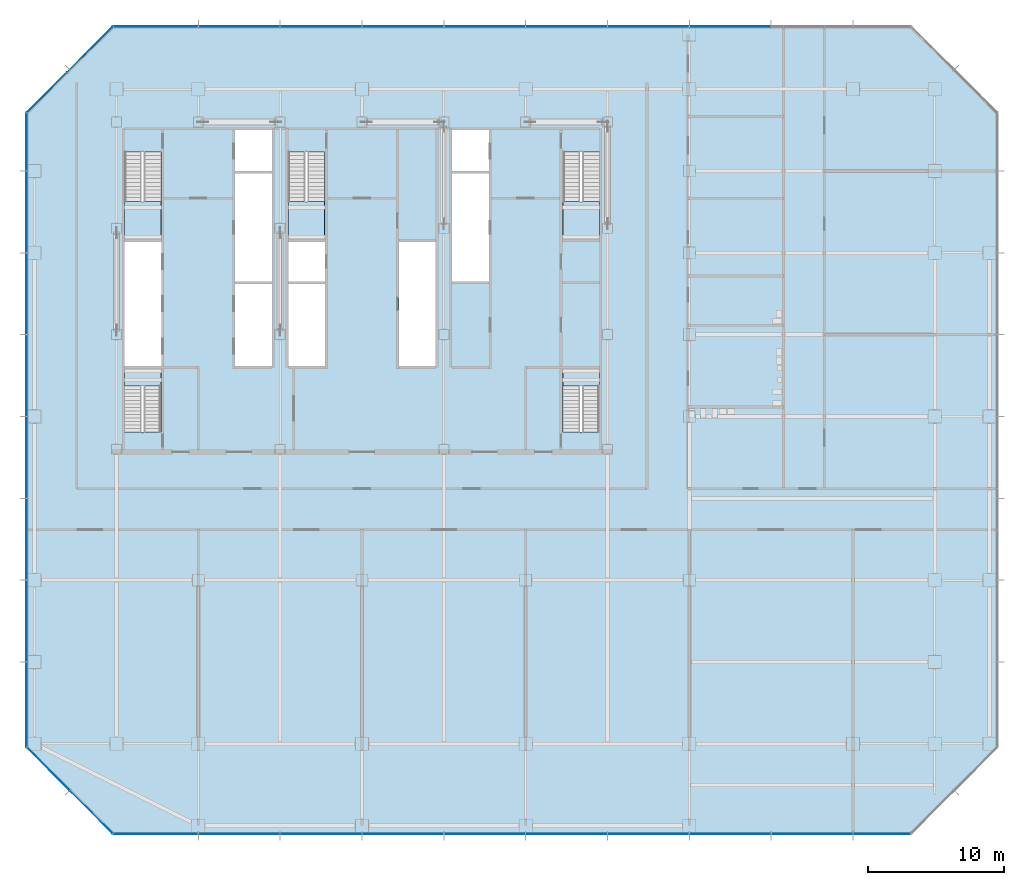
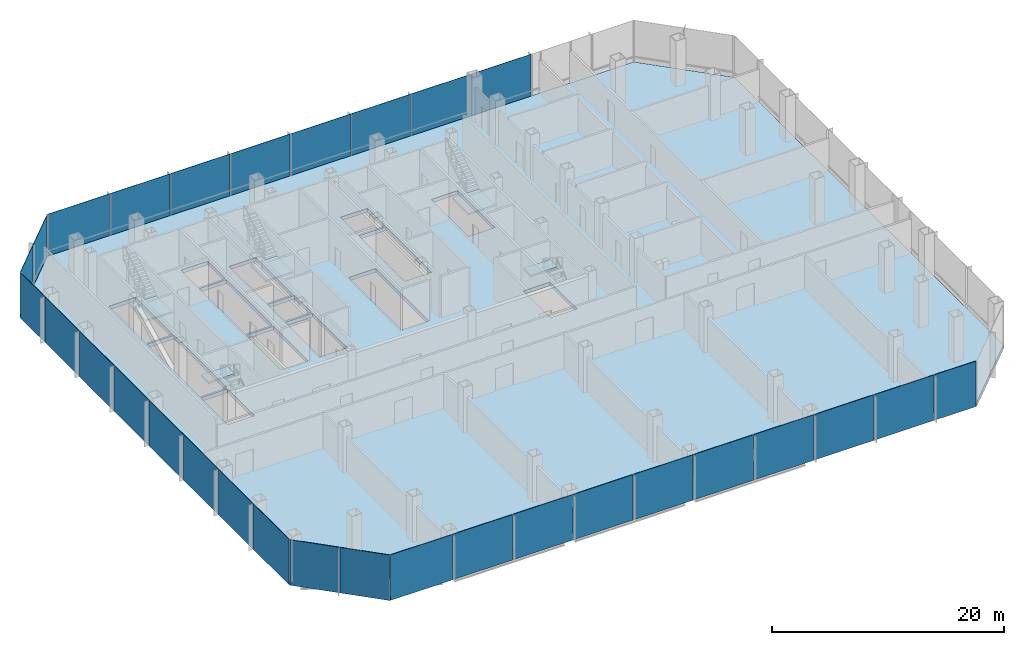
# One storey, part 20 of 33: 30 plates, 6 slabs, 10 elements without a shape of their own.
"""IFC4 building model written with IfcOpenShell, lengths in metres."""

from ifc_helpers import new_model, si_unit, direction, frame, origin, origin_2d, place, context, subcontext, project, spatial, polyline, rectangle, outline, extrude, material, layer, layer_set, type_object, element, aggregate, save


model = new_model("IFC4")

# Units and contexts
model_context = context("Model", 3, precision=1e-05, world=origin(), true_north=direction((0.0, 1.0)))
body_context = subcontext(model_context, "Body", "Model", "MODEL_VIEW")
ifc_project = project(units=[si_unit("LENGTHUNIT", "METRE"), si_unit("AREAUNIT", "SQUARE_METRE"), si_unit("VOLUMEUNIT", "CUBIC_METRE"), si_unit("PLANEANGLEUNIT", "RADIAN"), si_unit("MASSUNIT", "GRAM", prefix="KILO")], contexts=[model_context])

# Site, building, storey
site_placement = place(None, origin())
site = spatial("IfcSite", under=ifc_project, at=site_placement, CompositionType="ELEMENT")
building_placement = place(site_placement, origin())
building = spatial("IfcBuilding", under=site, at=building_placement, Name="Sorahane Residences", CompositionType="ELEMENT")
storey_placement = place(building_placement, frame((0.0, 0.0, 30.0)))
storey = spatial("IfcBuildingStorey", under=building, at=storey_placement, Name="L04", CompositionType="ELEMENT", Elevation=30.0)

# Slab
ifc_material_1 = material(Name="Concrete C35", Category="concrete")
ifc_layer_1 = layer(ifc_material_1, 0.39990234375)
ifc_layer_set_1 = layer_set([ifc_layer_1], Name="Composite floor slab 400 mm Concrete C35")
slab_type_1 = type_object("IfcSlabType", Name="Composite floor slab 400 mm Concrete C35", PredefinedType="FLOOR", material=ifc_layer_set_1)
slab_1_placement = place(storey_placement, frame((0.0, 0.0, -0.39990234375)))
element("IfcSlab", 1, at=slab_1_placement, inside=storey, type_object=slab_type_1, Name="Slab L04", PredefinedType="FLOOR", context=body_context, shape_type="SweptSolid", body=[
    extrude(outline(polyline([(5.75146484375, -6.60009765625), (-0.60009765625, -0.24853515625), (-0.60009765625, 46.24853515625), (5.75146484375, 52.60009765625), (64.24853515625, 52.60009765625), (70.60009765625, 46.24853515625), (70.60009765625, -0.24853515625), (64.24853515625, -6.60009765625), (5.75146484375, -6.60009765625)]), holes=[polyline([(18.60009765625, 27.699951171875), (21.300048828125, 27.699951171875), (21.300048828125, 33.699951171875), (18.60009765625, 33.699951171875), (18.60009765625, 27.699951171875)]), polyline([(30.60009765625, 42.0), (33.300048828125, 42.0), (33.300048828125, 45.0), (30.60009765625, 45.0), (30.60009765625, 42.0)]), polyline([(14.699951171875, 27.699951171875), (17.39990234375, 27.699951171875), (17.39990234375, 33.699951171875), (14.699951171875, 33.699951171875), (14.699951171875, 27.699951171875)]), polyline([(14.699951171875, 42.0), (17.39990234375, 42.0), (17.39990234375, 45.0), (14.699951171875, 45.0), (14.699951171875, 42.0)]), polyline([(6.60009765625, 27.699951171875), (9.300048828125, 27.699951171875), (9.300048828125, 36.800048828125), (6.60009765625, 36.800048828125), (6.60009765625, 27.699951171875)]), polyline([(6.60009765625, 43.39990234375), (6.60009765625, 37.0), (9.25, 37.0), (9.25, 43.39990234375), (6.60009765625, 43.39990234375)]), polyline([(38.75, 43.39990234375), (38.75, 37.0), (41.39990234375, 37.0), (41.39990234375, 43.39990234375), (38.75, 43.39990234375)]), polyline([(18.60009765625, 43.39990234375), (18.60009765625, 37.0), (21.25, 37.0), (21.25, 43.39990234375), (18.60009765625, 43.39990234375)]), polyline([(9.25, 22.85009765625), (9.25, 27.5), (6.60009765625, 27.5), (6.60009765625, 22.85009765625), (9.25, 22.85009765625)]), polyline([(41.39990234375, 22.85009765625), (41.39990234375, 27.5), (38.75, 27.5), (38.75, 22.85009765625), (41.39990234375, 22.85009765625)]), polyline([(14.699951171875, 33.89990234375), (17.39990234375, 33.89990234375), (17.39990234375, 41.800048828125), (14.699951171875, 41.800048828125), (14.699951171875, 33.89990234375)]), polyline([(30.60009765625, 33.89990234375), (33.300048828125, 33.89990234375), (33.300048828125, 41.800048828125), (30.60009765625, 41.800048828125), (30.60009765625, 33.89990234375)]), polyline([(18.60009765625, 33.89990234375), (21.300048828125, 33.89990234375), (21.300048828125, 36.800048828125), (18.60009765625, 36.800048828125), (18.60009765625, 33.89990234375)]), polyline([(26.699951171875, 27.699951171875), (29.39990234375, 27.699951171875), (29.39990234375, 36.800048828125), (26.699951171875, 36.800048828125), (26.699951171875, 27.699951171875)])]), origin(), (0.0, 0.0, 1.0), 0.39990234375),
])

# Curtain wall, plates
ifc_material_2 = material(Name="Dark low-e glass and black anodised aluminium", Category="aluminium")
curtain_wall_type = type_object("IfcCurtainWallType", Name="Curtain wall CW-3 Podium unitised wall", PredefinedType="NOTDEFINED", material=ifc_material_2)
curtain_wall_1_placement = place(storey_placement, origin())
curtain_wall_1 = element("IfcCurtainWall", 2, at=curtain_wall_1_placement, inside=storey, type_object=curtain_wall_type, Name="CW-3 curtain wall L04 S1", PredefinedType="NOTDEFINED")
ifc_material_3 = material(Name="Dark low-e glass with black ceramic frit", Category="glass")
ifc_layer_2 = layer(ifc_material_3, 0.0400390625)
ifc_layer_set_2 = layer_set([ifc_layer_2], Name="Curtain wall glass panel dark low-e podium with black frit spandrel band")
plate_type = type_object("IfcPlateType", Name="Curtain wall glass panel dark low-e podium with black frit spandrel band", PredefinedType="CURTAIN_PANEL", material=ifc_layer_set_2)
plate_1_placement = place(storey_placement, frame((8.88818359375, -6.60009765625, -0.39990234375), z_axis=(0.0, 0.0, 1.0), x_axis=(1.0, 0.0, 0.0)))
plate_1 = element("IfcPlate", 3, at=plate_1_placement, type_object=plate_type, Name="CW-3 glass panel L04 S1.1", PredefinedType="CURTAIN_PANEL", context=body_context, shape_type="SweptSolid", body=[
    extrude(rectangle(XDim=6.173583984375, YDim=0.0400390625, at=origin_2d()), origin(), (0.0, 0.0, 1.0), 4.800048828125),
])
plate_2_placement = place(storey_placement, frame((15.0, -6.60009765625, -0.39990234375), z_axis=(0.0, 0.0, 1.0), x_axis=(1.0, 0.0, 0.0)))
plate_2 = element("IfcPlate", 4, at=plate_2_placement, type_object=plate_type, Name="CW-3 glass panel L04 S1.2", PredefinedType="CURTAIN_PANEL", context=body_context, shape_type="SweptSolid", body=[
    extrude(rectangle(XDim=5.949951171875, YDim=0.0400390625, at=origin_2d()), origin(), (0.0, 0.0, 1.0), 4.800048828125),
])
plate_3_placement = place(storey_placement, frame((21.0, -6.60009765625, -0.39990234375), z_axis=(0.0, 0.0, 1.0), x_axis=(1.0, 0.0, 0.0)))
plate_3 = element("IfcPlate", 5, at=plate_3_placement, type_object=plate_type, Name="CW-3 glass panel L04 S1.3", PredefinedType="CURTAIN_PANEL", context=body_context, shape_type="SweptSolid", body=[
    extrude(rectangle(XDim=5.949951171875, YDim=0.0400390625, at=origin_2d()), origin(), (0.0, 0.0, 1.0), 4.800048828125),
])
plate_4_placement = place(storey_placement, frame((27.0, -6.60009765625, -0.39990234375), z_axis=(0.0, 0.0, 1.0), x_axis=(1.0, 0.0, 0.0)))
plate_4 = element("IfcPlate", 6, at=plate_4_placement, type_object=plate_type, Name="CW-3 glass panel L04 S1.4", PredefinedType="CURTAIN_PANEL", context=body_context, shape_type="SweptSolid", body=[
    extrude(rectangle(XDim=5.949951171875, YDim=0.0400390625, at=origin_2d()), origin(), (0.0, 0.0, 1.0), 4.800048828125),
])
plate_5_placement = place(storey_placement, frame((33.0, -6.60009765625, -0.39990234375), z_axis=(0.0, 0.0, 1.0), x_axis=(1.0, 0.0, 0.0)))
plate_5 = element("IfcPlate", 7, at=plate_5_placement, type_object=plate_type, Name="CW-3 glass panel L04 S1.5", PredefinedType="CURTAIN_PANEL", context=body_context, shape_type="SweptSolid", body=[
    extrude(rectangle(XDim=5.949951171875, YDim=0.0400390625, at=origin_2d()), origin(), (0.0, 0.0, 1.0), 4.800048828125),
])
plate_6_placement = place(storey_placement, frame((39.0, -6.60009765625, -0.39990234375), z_axis=(0.0, 0.0, 1.0), x_axis=(1.0, 0.0, 0.0)))
plate_6 = element("IfcPlate", 8, at=plate_6_placement, type_object=plate_type, Name="CW-3 glass panel L04 S1.6", PredefinedType="CURTAIN_PANEL", context=body_context, shape_type="SweptSolid", body=[
    extrude(rectangle(XDim=5.949951171875, YDim=0.0400390625, at=origin_2d()), origin(), (0.0, 0.0, 1.0), 4.800048828125),
])
plate_7_placement = place(storey_placement, frame((45.0, -6.60009765625, -0.39990234375), z_axis=(0.0, 0.0, 1.0), x_axis=(1.0, 0.0, 0.0)))
plate_7 = element("IfcPlate", 9, at=plate_7_placement, type_object=plate_type, Name="CW-3 glass panel L04 S1.7", PredefinedType="CURTAIN_PANEL", context=body_context, shape_type="SweptSolid", body=[
    extrude(rectangle(XDim=5.949951171875, YDim=0.0400390625, at=origin_2d()), origin(), (0.0, 0.0, 1.0), 4.800048828125),
])
plate_8_placement = place(storey_placement, frame((51.0, -6.60009765625, -0.39990234375), z_axis=(0.0, 0.0, 1.0), x_axis=(1.0, 0.0, 0.0)))
plate_8 = element("IfcPlate", 10, at=plate_8_placement, type_object=plate_type, Name="CW-3 glass panel L04 S1.8", PredefinedType="CURTAIN_PANEL", context=body_context, shape_type="SweptSolid", body=[
    extrude(rectangle(XDim=5.949951171875, YDim=0.0400390625, at=origin_2d()), origin(), (0.0, 0.0, 1.0), 4.800048828125),
])
plate_9_placement = place(storey_placement, frame((57.0, -6.60009765625, -0.39990234375), z_axis=(0.0, 0.0, 1.0), x_axis=(1.0, 0.0, 0.0)))
plate_9 = element("IfcPlate", 11, at=plate_9_placement, type_object=plate_type, Name="CW-3 glass panel L04 S1.9", PredefinedType="CURTAIN_PANEL", context=body_context, shape_type="SweptSolid", body=[
    extrude(rectangle(XDim=5.949951171875, YDim=0.0400390625, at=origin_2d()), origin(), (0.0, 0.0, 1.0), 4.800048828125),
])
plate_10_placement = place(storey_placement, frame((62.11181640625, -6.60009765625, -0.39990234375), z_axis=(0.0, 0.0, 1.0), x_axis=(1.0, 0.0, 0.0)))
plate_10 = element("IfcPlate", 12, at=plate_10_placement, type_object=plate_type, Name="CW-3 glass panel L04 S1.10", PredefinedType="CURTAIN_PANEL", context=body_context, shape_type="SweptSolid", body=[
    extrude(rectangle(XDim=4.173583984375, YDim=0.0400390625, at=origin_2d()), origin(), (0.0, 0.0, 1.0), 4.800048828125),
])
aggregate(curtain_wall_1, [plate_1, plate_2, plate_3, plate_4, plate_5, plate_6, plate_7, plate_8, plate_9, plate_10])

curtain_wall_2_placement = place(storey_placement, origin())
curtain_wall_2 = element("IfcCurtainWall", 13, at=curtain_wall_2_placement, inside=storey, type_object=curtain_wall_type, Name="CW-3 curtain wall L04 N1", PredefinedType="NOTDEFINED")
plate_11_placement = place(storey_placement, frame((51.0, 52.60009765625, -0.39990234375), z_axis=(0.0, 0.0, 1.0), x_axis=(-1.0, 0.0, 0.0)))
plate_11 = element("IfcPlate", 14, at=plate_11_placement, type_object=plate_type, Name="CW-3 glass panel L04 N1.5", PredefinedType="CURTAIN_PANEL", context=body_context, shape_type="SweptSolid", body=[
    extrude(rectangle(XDim=5.949951171875, YDim=0.0400390625, at=origin_2d()), origin(), (0.0, 0.0, 1.0), 4.800048828125),
])
plate_12_placement = place(storey_placement, frame((45.0, 52.60009765625, -0.39990234375), z_axis=(0.0, 0.0, 1.0), x_axis=(-1.0, 0.0, 0.0)))
plate_12 = element("IfcPlate", 15, at=plate_12_placement, type_object=plate_type, Name="CW-3 glass panel L04 N1.6", PredefinedType="CURTAIN_PANEL", context=body_context, shape_type="SweptSolid", body=[
    extrude(rectangle(XDim=5.949951171875, YDim=0.0400390625, at=origin_2d()), origin(), (0.0, 0.0, 1.0), 4.800048828125),
])
plate_13_placement = place(storey_placement, frame((39.0, 52.60009765625, -0.39990234375), z_axis=(0.0, 0.0, 1.0), x_axis=(-1.0, 0.0, 0.0)))
plate_13 = element("IfcPlate", 16, at=plate_13_placement, type_object=plate_type, Name="CW-3 glass panel L04 N1.7", PredefinedType="CURTAIN_PANEL", context=body_context, shape_type="SweptSolid", body=[
    extrude(rectangle(XDim=5.949951171875, YDim=0.0400390625, at=origin_2d()), origin(), (0.0, 0.0, 1.0), 4.800048828125),
])
plate_14_placement = place(storey_placement, frame((33.0, 52.60009765625, -0.39990234375), z_axis=(0.0, 0.0, 1.0), x_axis=(-1.0, 0.0, 0.0)))
plate_14 = element("IfcPlate", 17, at=plate_14_placement, type_object=plate_type, Name="CW-3 glass panel L04 N1.8", PredefinedType="CURTAIN_PANEL", context=body_context, shape_type="SweptSolid", body=[
    extrude(rectangle(XDim=5.949951171875, YDim=0.0400390625, at=origin_2d()), origin(), (0.0, 0.0, 1.0), 4.800048828125),
])
plate_15_placement = place(storey_placement, frame((27.0, 52.60009765625, -0.39990234375), z_axis=(0.0, 0.0, 1.0), x_axis=(-1.0, 0.0, 0.0)))
plate_15 = element("IfcPlate", 18, at=plate_15_placement, type_object=plate_type, Name="CW-3 glass panel L04 N1.9", PredefinedType="CURTAIN_PANEL", context=body_context, shape_type="SweptSolid", body=[
    extrude(rectangle(XDim=5.949951171875, YDim=0.0400390625, at=origin_2d()), origin(), (0.0, 0.0, 1.0), 4.800048828125),
])
plate_16_placement = place(storey_placement, frame((21.0, 52.60009765625, -0.39990234375), z_axis=(0.0, 0.0, 1.0), x_axis=(-1.0, 0.0, 0.0)))
plate_16 = element("IfcPlate", 19, at=plate_16_placement, type_object=plate_type, Name="CW-3 glass panel L04 N1.10", PredefinedType="CURTAIN_PANEL", context=body_context, shape_type="SweptSolid", body=[
    extrude(rectangle(XDim=5.949951171875, YDim=0.0400390625, at=origin_2d()), origin(), (0.0, 0.0, 1.0), 4.800048828125),
])
plate_17_placement = place(storey_placement, frame((15.0, 52.60009765625, -0.39990234375), z_axis=(0.0, 0.0, 1.0), x_axis=(-1.0, 0.0, 0.0)))
plate_17 = element("IfcPlate", 20, at=plate_17_placement, type_object=plate_type, Name="CW-3 glass panel L04 N1.11", PredefinedType="CURTAIN_PANEL", context=body_context, shape_type="SweptSolid", body=[
    extrude(rectangle(XDim=5.949951171875, YDim=0.0400390625, at=origin_2d()), origin(), (0.0, 0.0, 1.0), 4.800048828125),
])
plate_18_placement = place(storey_placement, frame((8.88818359375, 52.60009765625, -0.39990234375), z_axis=(0.0, 0.0, 1.0), x_axis=(-1.0, 0.0, 0.0)))
plate_18 = element("IfcPlate", 21, at=plate_18_placement, type_object=plate_type, Name="CW-3 glass panel L04 N1.12", PredefinedType="CURTAIN_PANEL", context=body_context, shape_type="SweptSolid", body=[
    extrude(rectangle(XDim=6.173583984375, YDim=0.0400390625, at=origin_2d()), origin(), (0.0, 0.0, 1.0), 4.800048828125),
])
aggregate(curtain_wall_2, [plate_11, plate_12, plate_13, plate_14, plate_15, plate_16, plate_17, plate_18])

curtain_wall_3_placement = place(storey_placement, origin())
curtain_wall_3 = element("IfcCurtainWall", 22, at=curtain_wall_3_placement, inside=storey, type_object=curtain_wall_type, Name="CW-3 curtain wall L04 NW1", PredefinedType="NOTDEFINED")
plate_19_placement = place(storey_placement, frame((4.0546875, 50.9033203125, -0.39990234375), z_axis=(0.0, 0.0, 1.0), x_axis=(-0.707106781187, -0.707106781187, 0.0)))
plate_19 = element("IfcPlate", 23, at=plate_19_placement, type_object=plate_type, Name="CW-3 glass panel L04 NW1.1", PredefinedType="CURTAIN_PANEL", context=body_context, shape_type="SweptSolid", body=[
    extrude(rectangle(XDim=4.698974609375, YDim=0.0400390625, at=origin_2d()), origin(), (0.0, 0.0, 1.0), 4.800048828125),
])
plate_20_placement = place(storey_placement, frame((0.896728515625, 47.7451171875, -0.39990234375), z_axis=(0.0, 0.0, 1.0), x_axis=(-0.707106781187, -0.707106781187, 0.0)))
plate_20 = element("IfcPlate", 24, at=plate_20_placement, type_object=plate_type, Name="CW-3 glass panel L04 NW1.2", PredefinedType="CURTAIN_PANEL", context=body_context, shape_type="SweptSolid", body=[
    extrude(rectangle(XDim=4.13330078125, YDim=0.0400390625, at=origin_2d()), origin(), (0.0, 0.0, 1.0), 4.800048828125),
])
aggregate(curtain_wall_3, [plate_19, plate_20])

curtain_wall_4_placement = place(storey_placement, origin())
curtain_wall_4 = element("IfcCurtainWall", 25, at=curtain_wall_4_placement, inside=storey, type_object=curtain_wall_type, Name="CW-3 curtain wall L04 W1", PredefinedType="NOTDEFINED")
plate_21_placement = place(storey_placement, frame((-0.60009765625, 44.11181640625, -0.39990234375), z_axis=(0.0, 0.0, 1.0), x_axis=(0.0, -1.0, 0.0)))
plate_21 = element("IfcPlate", 26, at=plate_21_placement, type_object=plate_type, Name="CW-3 glass panel L04 W1.1", PredefinedType="CURTAIN_PANEL", context=body_context, shape_type="SweptSolid", body=[
    extrude(rectangle(XDim=4.173583984375, YDim=0.0400390625, at=origin_2d()), origin(), (0.0, 0.0, 1.0), 4.800048828125),
])
plate_22_placement = place(storey_placement, frame((-0.60009765625, 39.0, -0.39990234375), z_axis=(0.0, 0.0, 1.0), x_axis=(0.0, -1.0, 0.0)))
plate_22 = element("IfcPlate", 27, at=plate_22_placement, type_object=plate_type, Name="CW-3 glass panel L04 W1.2", PredefinedType="CURTAIN_PANEL", context=body_context, shape_type="SweptSolid", body=[
    extrude(rectangle(XDim=5.949951171875, YDim=0.0400390625, at=origin_2d()), origin(), (0.0, 0.0, 1.0), 4.800048828125),
])
plate_23_placement = place(storey_placement, frame((-0.60009765625, 33.0, -0.39990234375), z_axis=(0.0, 0.0, 1.0), x_axis=(0.0, -1.0, 0.0)))
plate_23 = element("IfcPlate", 28, at=plate_23_placement, type_object=plate_type, Name="CW-3 glass panel L04 W1.3", PredefinedType="CURTAIN_PANEL", context=body_context, shape_type="SweptSolid", body=[
    extrude(rectangle(XDim=5.949951171875, YDim=0.0400390625, at=origin_2d()), origin(), (0.0, 0.0, 1.0), 4.800048828125),
])
plate_24_placement = place(storey_placement, frame((-0.60009765625, 27.0, -0.39990234375), z_axis=(0.0, 0.0, 1.0), x_axis=(0.0, -1.0, 0.0)))
plate_24 = element("IfcPlate", 29, at=plate_24_placement, type_object=plate_type, Name="CW-3 glass panel L04 W1.4", PredefinedType="CURTAIN_PANEL", context=body_context, shape_type="SweptSolid", body=[
    extrude(rectangle(XDim=5.949951171875, YDim=0.0400390625, at=origin_2d()), origin(), (0.0, 0.0, 1.0), 4.800048828125),
])
plate_25_placement = place(storey_placement, frame((-0.60009765625, 21.0, -0.39990234375), z_axis=(0.0, 0.0, 1.0), x_axis=(0.0, -1.0, 0.0)))
plate_25 = element("IfcPlate", 30, at=plate_25_placement, type_object=plate_type, Name="CW-3 glass panel L04 W1.5", PredefinedType="CURTAIN_PANEL", context=body_context, shape_type="SweptSolid", body=[
    extrude(rectangle(XDim=5.949951171875, YDim=0.0400390625, at=origin_2d()), origin(), (0.0, 0.0, 1.0), 4.800048828125),
])
plate_26_placement = place(storey_placement, frame((-0.60009765625, 15.0, -0.39990234375), z_axis=(0.0, 0.0, 1.0), x_axis=(0.0, -1.0, 0.0)))
plate_26 = element("IfcPlate", 31, at=plate_26_placement, type_object=plate_type, Name="CW-3 glass panel L04 W1.6", PredefinedType="CURTAIN_PANEL", context=body_context, shape_type="SweptSolid", body=[
    extrude(rectangle(XDim=5.949951171875, YDim=0.0400390625, at=origin_2d()), origin(), (0.0, 0.0, 1.0), 4.800048828125),
])
plate_27_placement = place(storey_placement, frame((-0.60009765625, 9.0, -0.39990234375), z_axis=(0.0, 0.0, 1.0), x_axis=(0.0, -1.0, 0.0)))
plate_27 = element("IfcPlate", 32, at=plate_27_placement, type_object=plate_type, Name="CW-3 glass panel L04 W1.7", PredefinedType="CURTAIN_PANEL", context=body_context, shape_type="SweptSolid", body=[
    extrude(rectangle(XDim=5.949951171875, YDim=0.0400390625, at=origin_2d()), origin(), (0.0, 0.0, 1.0), 4.800048828125),
])
plate_28_placement = place(storey_placement, frame((-0.60009765625, 2.88818359375, -0.39990234375), z_axis=(0.0, 0.0, 1.0), x_axis=(0.0, -1.0, 0.0)))
plate_28 = element("IfcPlate", 33, at=plate_28_placement, type_object=plate_type, Name="CW-3 glass panel L04 W1.8", PredefinedType="CURTAIN_PANEL", context=body_context, shape_type="SweptSolid", body=[
    extrude(rectangle(XDim=6.173583984375, YDim=0.0400390625, at=origin_2d()), origin(), (0.0, 0.0, 1.0), 4.800048828125),
])
aggregate(curtain_wall_4, [plate_21, plate_22, plate_23, plate_24, plate_25, plate_26, plate_27, plate_28])

curtain_wall_5_placement = place(storey_placement, origin())
curtain_wall_5 = element("IfcCurtainWall", 34, at=curtain_wall_5_placement, inside=storey, type_object=curtain_wall_type, Name="CW-3 curtain wall L04 SW1", PredefinedType="NOTDEFINED")
plate_29_placement = place(storey_placement, frame((0.996826171875, -1.84521484375, -0.39990234375), z_axis=(0.0, 0.0, 1.0), x_axis=(0.707106781187, -0.707106781187, 0.0)))
plate_29 = element("IfcPlate", 35, at=plate_29_placement, type_object=plate_type, Name="CW-3 glass panel L04 SW1.1", PredefinedType="CURTAIN_PANEL", context=body_context, shape_type="SweptSolid", body=[
    extrude(rectangle(XDim=4.416259765625, YDim=0.0400390625, at=origin_2d()), origin(), (0.0, 0.0, 1.0), 4.800048828125),
])
plate_30_placement = place(storey_placement, frame((4.15478515625, -5.003173828125, -0.39990234375), z_axis=(0.0, 0.0, 1.0), x_axis=(0.707106781187, -0.707106781187, 0.0)))
plate_30 = element("IfcPlate", 36, at=plate_30_placement, type_object=plate_type, Name="CW-3 glass panel L04 SW1.2", PredefinedType="CURTAIN_PANEL", context=body_context, shape_type="SweptSolid", body=[
    extrude(rectangle(XDim=4.416259765625, YDim=0.0400390625, at=origin_2d()), origin(), (0.0, 0.0, 1.0), 4.800048828125),
])
aggregate(curtain_wall_5, [plate_29, plate_30])

# Stair, slab
ifc_material_4 = material(Name="Concrete C40", Category="concrete")
stair_type = type_object("IfcStairType", Name="Dog-leg stair 1250 Concrete C40", PredefinedType="HALF_TURN_STAIR", material=ifc_material_4)
stair_1_placement = place(storey_placement, origin())
stair_1 = element("IfcStair", 37, at=stair_1_placement, inside=storey, type_object=stair_type, Name="L04 Stair S1", PredefinedType="HALF_TURN_STAIR")
ifc_material_5 = material(Name="Concrete C40", Category="concrete")
ifc_layer_3 = layer(ifc_material_5, 0.199951171875)
ifc_layer_set_3 = layer_set([ifc_layer_3], Name="Stair landing 200 Concrete C40")
slab_type_2 = type_object("IfcSlabType", Name="Stair landing 200 Concrete C40", PredefinedType="LANDING", material=ifc_layer_set_3)
slab_2_placement = place(storey_placement, frame((0.0, 0.0, 2.199951171875)))
slab_2 = element("IfcSlab", 38, at=slab_2_placement, type_object=slab_type_2, Name="S1 landing 1", PredefinedType="LANDING", context=body_context, shape_type="SweptSolid", body=[
    extrude(outline(polyline([(6.60009765625, 39.760009765625), (6.60009765625, 37.0), (9.25, 37.0), (9.25, 39.760009765625), (6.60009765625, 39.760009765625)])), origin(), (0.0, 0.0, 1.0), 0.199951171875),
])
aggregate(stair_1, [slab_2])

stair_2_placement = place(storey_placement, origin())
stair_2 = element("IfcStair", 39, at=stair_2_placement, inside=storey, type_object=stair_type, Name="L04 Stair S2", PredefinedType="HALF_TURN_STAIR")
slab_3_placement = place(storey_placement, frame((0.0, 0.0, 2.199951171875)))
slab_3 = element("IfcSlab", 40, at=slab_3_placement, type_object=slab_type_2, Name="S2 landing 1", PredefinedType="LANDING", context=body_context, shape_type="SweptSolid", body=[
    extrude(outline(polyline([(38.75, 39.760009765625), (38.75, 37.0), (41.39990234375, 37.0), (41.39990234375, 39.760009765625), (38.75, 39.760009765625)])), origin(), (0.0, 0.0, 1.0), 0.199951171875),
])
aggregate(stair_2, [slab_3])

stair_3_placement = place(storey_placement, origin())
stair_3 = element("IfcStair", 41, at=stair_3_placement, inside=storey, type_object=stair_type, Name="L04 Stair S3", PredefinedType="HALF_TURN_STAIR")
slab_4_placement = place(storey_placement, frame((0.0, 0.0, 2.199951171875)))
slab_4 = element("IfcSlab", 42, at=slab_4_placement, type_object=slab_type_2, Name="S3 landing 1", PredefinedType="LANDING", context=body_context, shape_type="SweptSolid", body=[
    extrude(outline(polyline([(18.60009765625, 39.760009765625), (18.60009765625, 37.0), (21.25, 37.0), (21.25, 39.760009765625), (18.60009765625, 39.760009765625)])), origin(), (0.0, 0.0, 1.0), 0.199951171875),
])
aggregate(stair_3, [slab_4])

stair_4_placement = place(storey_placement, origin())
stair_4 = element("IfcStair", 43, at=stair_4_placement, inside=storey, type_object=stair_type, Name="L04 Stair S4", PredefinedType="HALF_TURN_STAIR")
slab_5_placement = place(storey_placement, frame((0.0, 0.0, 2.199951171875)))
slab_5 = element("IfcSlab", 44, at=slab_5_placement, type_object=slab_type_2, Name="S4 landing 1", PredefinedType="LANDING", context=body_context, shape_type="SweptSolid", body=[
    extrude(outline(polyline([(9.25, 26.22998046875), (9.25, 27.5), (6.60009765625, 27.5), (6.60009765625, 26.22998046875), (9.25, 26.22998046875)])), origin(), (0.0, 0.0, 1.0), 0.199951171875),
])
aggregate(stair_4, [slab_5])

stair_5_placement = place(storey_placement, origin())
stair_5 = element("IfcStair", 45, at=stair_5_placement, inside=storey, type_object=stair_type, Name="L04 Stair S5", PredefinedType="HALF_TURN_STAIR")
slab_6_placement = place(storey_placement, frame((0.0, 0.0, 2.199951171875)))
slab_6 = element("IfcSlab", 46, at=slab_6_placement, type_object=slab_type_2, Name="S5 landing 1", PredefinedType="LANDING", context=body_context, shape_type="SweptSolid", body=[
    extrude(outline(polyline([(41.39990234375, 26.22998046875), (41.39990234375, 27.5), (38.75, 27.5), (38.75, 26.22998046875), (41.39990234375, 26.22998046875)])), origin(), (0.0, 0.0, 1.0), 0.199951171875),
])
aggregate(stair_5, [slab_6])

save(model, "model.ifc")
